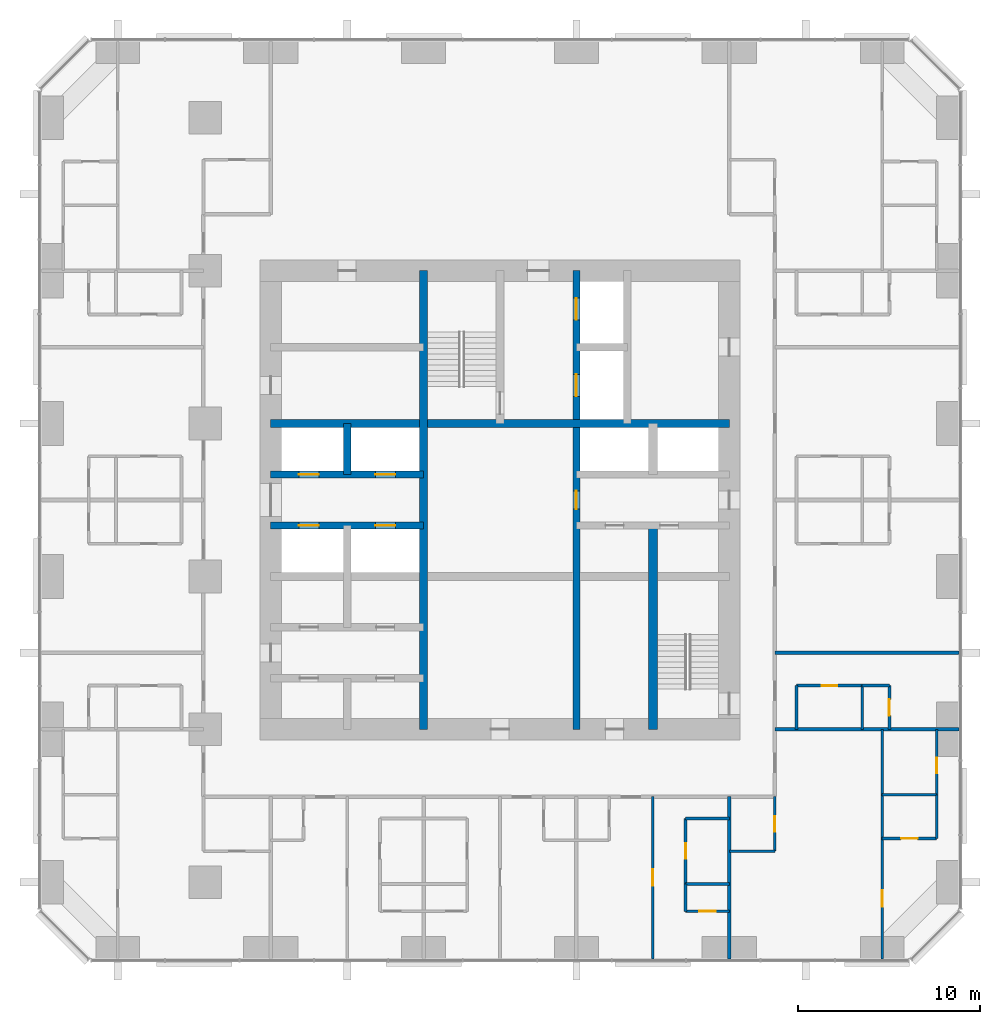
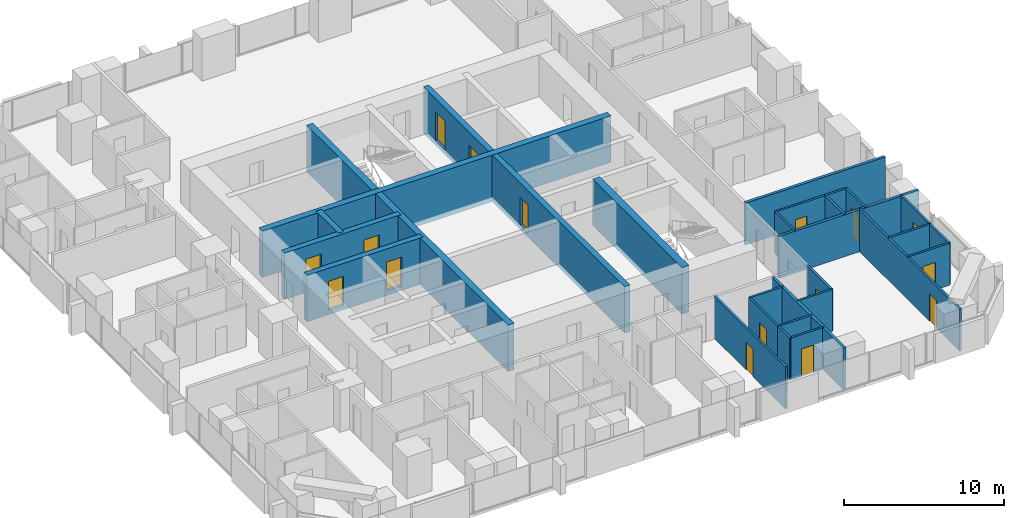
# One storey, part 10 of 13: 28 walls, 16 doors, 16 openings.
"""IFC4 building model written with IfcOpenShell, lengths in metres."""

import ifcopenshell
import ifcopenshell.guid

model = None  # the IFC model being written
_history = None  # IfcOwnerHistory: only IFC2X3 demands one
_inside = {}  # id of a spatial element -> (the spatial element, [elements in it])
_under = {}  # id of a project, library or spatial element -> (it, [spatial elements below it])
_declared = {}  # id of a project -> (the project, [libraries it declares])
_typed = {}  # id of a type object -> (the type object, [elements of that type])
_made_of = {}  # id of a material, layer set ... -> (it, [elements and type objects made of it])


def new_model(schema):
    """Start an empty IFC model of exactly this schema.

    Asked for "IFC4X3", IfcOpenShell would pick the latest addendum, in which some entities
    have other attributes; the version numbers below select the first issue.
    IFC2X3 requires an IfcOwnerHistory on every rooted entity: one is made here for all.
    """
    global model, _history
    if schema == "IFC4X3":
        model = ifcopenshell.file(schema_version=(4, 3, 0, 0))
    else:
        model = ifcopenshell.file(schema=schema)
    _inside.clear()
    _under.clear()
    _declared.clear()
    _typed.clear()
    _made_of.clear()
    _history = None
    if model.schema == "IFC2X3":
        org = make("IfcOrganization", Name="unknown")
        user = make(
            "IfcPersonAndOrganization",
            ThePerson=make("IfcPerson", FamilyName="unknown"),
            TheOrganization=org,
        )
        app = make(
            "IfcApplication",
            ApplicationDeveloper=org,
            Version="unknown",
            ApplicationFullName="unknown",
            ApplicationIdentifier="unknown",
        )
        _history = make(
            "IfcOwnerHistory",
            OwningUser=user,
            OwningApplication=app,
            ChangeAction="ADDED",
            CreationDate=0,
        )
    return model


def make(cls, **values):
    """One entity of the class cls with the attributes given. An attribute that is None is left unset."""
    return model.create_entity(
        cls, **{name: value for name, value in values.items() if value is not None}
    )


def rooted(cls, **values):
    """An entity with a GlobalId (a new one), such as an element, a storey or a relation."""
    return make(cls, GlobalId=ifcopenshell.guid.new(), OwnerHistory=_history, **values)


def si_unit(unit_type, name, prefix=None):
    """IfcSIUnit, for example si_unit("LENGTHUNIT", "METRE", prefix="MILLI")."""
    return make("IfcSIUnit", UnitType=unit_type, Prefix=prefix, Name=name)


def assignment(units):
    """IfcUnitAssignment: the units of a project."""
    return None if units is None else make("IfcUnitAssignment", Units=units)


def point(xyz):
    """IfcCartesianPoint."""
    return None if xyz is None else make("IfcCartesianPoint", Coordinates=xyz)


def direction(xyz):
    """IfcDirection."""
    return None if xyz is None else make("IfcDirection", DirectionRatios=xyz)


def frame(location, z_axis=None, x_axis=None):
    """IfcAxis2Placement3D, a coordinate frame: its origin and axes. An axis left out is left unset."""
    return make(
        "IfcAxis2Placement3D",
        Location=point(location),
        Axis=direction(z_axis),
        RefDirection=direction(x_axis),
    )


def frame_2d(location, x_axis=None):
    """IfcAxis2Placement2D, a coordinate frame in the plane: its origin and x axis."""
    return make(
        "IfcAxis2Placement2D", Location=point(location), RefDirection=direction(x_axis)
    )


def origin():
    """The frame at (0, 0, 0) with its axes left unset."""
    return frame((0.0, 0.0, 0.0))


def place(relative_to, where):
    """IfcLocalPlacement: puts the frame where relative to a parent placement (None: the world)."""
    return make(
        "IfcLocalPlacement", PlacementRelTo=relative_to, RelativePlacement=where
    )


def context(
    kind, dimensions, precision=None, world=None, true_north=None, identifier=None
):
    """IfcGeometricRepresentationContext, for example the 3D "Model" context."""
    return make(
        "IfcGeometricRepresentationContext",
        ContextIdentifier=identifier,
        ContextType=kind,
        CoordinateSpaceDimension=dimensions,
        Precision=precision,
        WorldCoordinateSystem=world,
        TrueNorth=true_north,
    )


def subcontext(parent, identifier, kind, view, scale=None):
    """IfcGeometricRepresentationSubContext, for example "Body" below "Model"."""
    return make(
        "IfcGeometricRepresentationSubContext",
        ContextIdentifier=identifier,
        ContextType=kind,
        ParentContext=parent,
        TargetScale=scale,
        TargetView=view,
    )


def project(units=None, contexts=None):
    """IfcProject with its units and contexts."""
    return rooted(
        "IfcProject",
        Name="project",
        RepresentationContexts=contexts,
        UnitsInContext=assignment(units),
    )


def spatial(cls, under=None, at=None, **own):
    """A site, building, storey or space (cls), placed at a placement, below another one or the project."""
    s = rooted(cls, ObjectPlacement=at, **own)
    if under is not None:
        _under.setdefault(under.id(), (under, []))[1].append(s)
    return s


def profile(cls, at=None, kind="AREA", **sizes):
    """A parametric profile (cls). Its sizes go by their IFC names, for example OverallWidth=200.0."""
    return make(cls, ProfileType=kind, Position=at, **sizes)


def rectangle(**sizes):
    """IfcRectangleProfileDef."""
    return profile("IfcRectangleProfileDef", **sizes)


def extrude(swept, where, along, depth):
    """IfcExtrudedAreaSolid: the profile swept, set in the frame where, extruded along a direction by depth."""
    return make(
        "IfcExtrudedAreaSolid",
        SweptArea=swept,
        Position=where,
        ExtrudedDirection=direction(along),
        Depth=depth,
    )


def shape(context_of_items, identifier, shape_type, items):
    """IfcShapeRepresentation: the items that make up one representation, for example the "Body"."""
    return make(
        "IfcShapeRepresentation",
        ContextOfItems=context_of_items,
        RepresentationIdentifier=identifier,
        RepresentationType=shape_type,
        Items=items,
    )


def material(Name=None, Category=None):
    """IfcMaterial."""
    return make("IfcMaterial", Name=Name, Category=Category)


def layer(
    of_material, thickness, ventilated=None, Name=None, Category=None, Priority=None
):
    """IfcMaterialLayer: one layer of a wall or slab, of a material (None: an air gap)."""
    return make(
        "IfcMaterialLayer",
        Material=of_material,
        LayerThickness=thickness,
        IsVentilated=ventilated,
        Name=Name,
        Category=Category,
        Priority=Priority,
    )


def layer_set(layers, Name=None):
    """IfcMaterialLayerSet."""
    return make("IfcMaterialLayerSet", MaterialLayers=layers, LayerSetName=Name)


def made_of(thing, what):
    """Note that an element or type object is made of a material, layer set ...; save() writes the relation."""
    if what is not None:
        _made_of.setdefault(what.id(), (what, []))[1].append(thing)
    return thing


def type_object(cls, material=None, **own):
    """A type object (cls), such as IfcWallType, which elements share."""
    return made_of(rooted(cls, **own), material)


def element(
    cls,
    number,
    at=None,
    inside=None,
    cuts=None,
    type_object=None,
    material=None,
    context=None,
    identifier="Body",
    shape_type=None,
    held_by="IfcProductDefinitionShape",
    body=None,
    shapes=None,
    **own,
):
    """One element of the class cls, such as IfcWall. Its Tag is "e" and its number.

    at: its placement. inside: the storey or other place that contains it. cuts: it is an
    opening in that element (IfcRelVoidsElement). A single representation is given by context,
    identifier, shape_type and body (its items); several are given by shapes. held_by: the class
    of the entity that holds the representations. save() writes the other relations.
    """
    e = rooted(cls, Tag="e%d" % number, ObjectPlacement=at, **own)
    if body is not None:
        shapes = [shape(context, identifier, shape_type, body)]
    if shapes is not None:
        e.Representation = make(held_by, Representations=shapes)
    if inside is not None:
        _inside.setdefault(inside.id(), (inside, []))[1].append(e)
    if cuts is not None:
        rooted(
            "IfcRelVoidsElement", RelatingBuildingElement=cuts, RelatedOpeningElement=e
        )
    if type_object is not None:
        _typed.setdefault(type_object.id(), (type_object, []))[1].append(e)
    return made_of(e, material)


def fill(opening, filler):
    """IfcRelFillsElement: the door or window that sits in an opening."""
    return rooted(
        "IfcRelFillsElement",
        RelatingOpeningElement=opening,
        RelatedBuildingElement=filler,
    )


def aggregate(whole, parts):
    """IfcRelAggregates: a whole, such as a stair, and the parts it consists of."""
    return rooted("IfcRelAggregates", RelatingObject=whole, RelatedObjects=parts)


def save(model, path):
    """Write the relations noted so far, then the file.

    IfcRelAggregates (storeys below a building ...), IfcRelContainedInSpatialStructure (elements
    in a storey), IfcRelDefinesByType, IfcRelAssociatesMaterial and IfcRelDeclares: one each for
    every whole, place, type object, material and project.
    """
    for whole, parts in _under.values():
        aggregate(whole, parts)
    for where, things in _inside.values():
        rooted(
            "IfcRelContainedInSpatialStructure",
            RelatedElements=things,
            RelatingStructure=where,
        )
    for kind, things in _typed.values():
        rooted("IfcRelDefinesByType", RelatedObjects=things, RelatingType=kind)
    for what, things in _made_of.values():
        rooted("IfcRelAssociatesMaterial", RelatedObjects=things, RelatingMaterial=what)
    for by, libraries in _declared.values():
        rooted("IfcRelDeclares", RelatingContext=by, RelatedDefinitions=libraries)
    model.write(path)


model = new_model("IFC4")

# Units and contexts
model_context = context("Model", 3, precision=1e-05, world=origin(), true_north=direction((0.0, 1.0)))
body_context = subcontext(model_context, "Body", "Model", "MODEL_VIEW")
ifc_project = project(units=[si_unit("LENGTHUNIT", "METRE"), si_unit("AREAUNIT", "SQUARE_METRE"), si_unit("VOLUMEUNIT", "CUBIC_METRE"), si_unit("PLANEANGLEUNIT", "RADIAN"), si_unit("MASSUNIT", "GRAM", prefix="KILO")], contexts=[model_context])

# Site, building, storey
site_placement = place(None, origin())
site = spatial("IfcSite", under=ifc_project, at=site_placement, CompositionType="ELEMENT")
building_placement = place(site_placement, origin())
building = spatial("IfcBuilding", under=site, at=building_placement, Name="Dunama Terrace Hotel", CompositionType="ELEMENT")
storey_placement = place(building_placement, frame((0.0, 0.0, 216.60009765625)))
storey = spatial("IfcBuildingStorey", under=building, at=storey_placement, Name="L56", CompositionType="ELEMENT", Elevation=216.60009765625)

# Wall, opening, door
ifc_material_1 = material(Name="Gypsum board partition", Category="masonry")
ifc_layer_1 = layer(ifc_material_1, 0.14990234375)
ifc_layer_set_1 = layer_set([ifc_layer_1], Name="Bathroom partition 150")
wall_type_1 = type_object("IfcWallType", Name="Bathroom partition 150", PredefinedType="PARTITIONING", material=ifc_layer_set_1)
wall_1_placement = place(storey_placement, frame((39.60009765625, 8.300048828125, 0.0), z_axis=(0.0, 0.0, 1.0), x_axis=(0.0, 1.0, 0.0)))
wall_1 = element("IfcWall", 1, at=wall_1_placement, inside=storey, type_object=wall_type_1, Name="Bathroom partition 150 L56", PredefinedType="PARTITIONING", context=body_context, shape_type="SweptSolid", body=[
    extrude(rectangle(XDim=3.599853515625, YDim=0.14990234375, at=frame_2d((1.7998046875, 0.0))), origin(), (0.0, 0.0, 1.0), 3.199951171875),
])
opening_1_placement = place(wall_1_placement, frame((1.375, 0.0, 0.0)))
opening_1 = element("IfcOpeningElement", 2, at=opening_1_placement, cuts=wall_1, Name="Opening L56-022", PredefinedType="OPENING", context=body_context, shape_type="SweptSolid", body=[
    extrude(rectangle(XDim=0.85009765625, YDim=2.10009765625, at=frame_2d((0.425048828125, 1.050048828125))), frame((0.0, 0.0849609375, 0.0), z_axis=(0.0, -1.0, 0.0), x_axis=(1.0, 0.0, 0.0)), (0.0, 0.0, 1.0), 0.169921875),
])
ifc_material_2 = material(Name="Timber door with steel frame", Category="steel")
door_type_1 = type_object("IfcDoorType", Name="Bathroom door 850", OperationType="SINGLE_SWING_LEFT", PredefinedType="DOOR", material=ifc_material_2)
door_1_placement = place(opening_1_placement, frame((0.85009765625, 0.0, 0.0), z_axis=(0.0, 0.0, 1.0), x_axis=(-1.0, 0.0, 0.0)))
door_1 = element("IfcDoor", 3, at=door_1_placement, inside=storey, type_object=door_type_1, Name="Door to en-suite bathroom L56-022, type D2", OperationType="SINGLE_SWING_RIGHT", OverallHeight=2.10009765625, OverallWidth=0.85009765625, PredefinedType="DOOR", context=body_context, shape_type="SweptSolid", body=[
    extrude(rectangle(XDim=0.85009765625, YDim=2.10009765625, at=frame_2d((0.425048828125, 1.050048828125))), frame((0.0, 0.025146484375, 0.0), z_axis=(0.0, -1.0, 0.0), x_axis=(1.0, 0.0, 0.0)), (0.0, 0.0, 1.0), 0.050048828125),
])
fill(opening_1, door_1)

wall_2_placement = place(storey_placement, frame((44.5, 10.10009765625, 0.0), z_axis=(0.0, 0.0, 1.0), x_axis=(0.0, 1.0, 0.0)))
wall_2 = element("IfcWall", 4, at=wall_2_placement, inside=storey, type_object=wall_type_1, Name="Bathroom partition 150 L56", PredefinedType="PARTITIONING", context=body_context, shape_type="SweptSolid", body=[
    extrude(rectangle(XDim=3.0, YDim=0.14990234375, at=frame_2d((1.5, 0.0))), origin(), (0.0, 0.0, 1.0), 3.199951171875),
])
opening_2_placement = place(wall_2_placement, frame((1.074951171875, 0.0, 0.0)))
opening_2 = element("IfcOpeningElement", 5, at=opening_2_placement, cuts=wall_2, Name="Opening L56-054", PredefinedType="OPENING", context=body_context, shape_type="SweptSolid", body=[
    extrude(rectangle(XDim=0.85009765625, YDim=2.10009765625, at=frame_2d((0.425048828125, 1.050048828125))), frame((0.0, 0.0849609375, 0.0), z_axis=(0.0, -1.0, 0.0), x_axis=(1.0, 0.0, 0.0)), (0.0, 0.0, 1.0), 0.169921875),
])
door_2_placement = place(opening_2_placement, origin())
door_2 = element("IfcDoor", 6, at=door_2_placement, inside=storey, type_object=door_type_1, Name="Door to powder room L56-054, type D2", OperationType="SINGLE_SWING_RIGHT", OverallHeight=2.10009765625, OverallWidth=0.85009765625, PredefinedType="DOOR", context=body_context, shape_type="SweptSolid", body=[
    extrude(rectangle(XDim=0.85009765625, YDim=2.10009765625, at=frame_2d((0.425048828125, 1.050048828125))), frame((0.0, 0.02490234375, 0.0), z_axis=(0.0, -1.0, 0.0), x_axis=(1.0, 0.0, 0.0)), (0.0, 0.0, 1.0), 0.050048828125),
])
fill(opening_2, door_2)

# Wall
wall_3_placement = place(storey_placement, frame((45.699951171875, 16.800048828125, 0.0), z_axis=(0.0, 0.0, 1.0), x_axis=(0.0, 1.0, 0.0)))
element("IfcWall", 7, at=wall_3_placement, inside=storey, type_object=wall_type_1, Name="Bathroom partition 150 L56", PredefinedType="PARTITIONING", context=body_context, shape_type="SweptSolid", body=[
    extrude(rectangle(XDim=2.39990234375, YDim=0.14990234375, at=frame_2d((1.199951171875, 0.0))), origin(), (0.0, 0.0, 1.0), 3.199951171875),
])

# Wall, opening, door
wall_4_placement = place(storey_placement, frame((53.39990234375, 13.199951171875, 0.0), z_axis=(0.0, 0.0, 1.0), x_axis=(0.0, 1.0, 0.0)))
wall_4 = element("IfcWall", 8, at=wall_4_placement, inside=storey, type_object=wall_type_1, Name="Bathroom partition 150 L56", PredefinedType="PARTITIONING", context=body_context, shape_type="SweptSolid", body=[
    extrude(rectangle(XDim=3.60009765625, YDim=0.14990234375, at=frame_2d((1.800048828125, 0.0))), origin(), (0.0, 0.0, 1.0), 3.199951171875),
])
opening_3_placement = place(wall_4_placement, frame((1.175048828125, 0.0, 0.0)))
opening_3 = element("IfcOpeningElement", 9, at=opening_3_placement, cuts=wall_4, Name="Opening L56-056", PredefinedType="OPENING", context=body_context, shape_type="SweptSolid", body=[
    extrude(rectangle(XDim=0.85009765625, YDim=2.10009765625, at=frame_2d((0.425048828125, 1.050048828125))), frame((0.0, 0.0849609375, 0.0), z_axis=(0.0, -1.0, 0.0), x_axis=(1.0, 0.0, 0.0)), (0.0, 0.0, 1.0), 0.169921875),
])
door_3_placement = place(opening_3_placement, origin())
door_3 = element("IfcDoor", 10, at=door_3_placement, inside=storey, type_object=door_type_1, Name="Door to en-suite bathroom L56-056, type D2", OperationType="SINGLE_SWING_RIGHT", OverallHeight=2.10009765625, OverallWidth=0.85009765625, PredefinedType="DOOR", context=body_context, shape_type="SweptSolid", body=[
    extrude(rectangle(XDim=0.85009765625, YDim=2.10009765625, at=frame_2d((0.425048828125, 1.050048828125))), frame((0.0, 0.02490234375, 0.0), z_axis=(0.0, -1.0, 0.0), x_axis=(1.0, 0.0, 0.0)), (0.0, 0.0, 1.0), 0.050048828125),
])
fill(opening_3, door_3)

# Walls
wall_5_placement = place(storey_placement, frame((42.0, 10.10009765625, 0.0), z_axis=(0.0, 0.0, 1.0), x_axis=(1.0, 0.0, 0.0)))
element("IfcWall", 11, at=wall_5_placement, inside=storey, type_object=wall_type_1, Name="Bathroom partition 150 L56", PredefinedType="PARTITIONING", context=body_context, shape_type="SweptSolid", body=[
    extrude(rectangle(XDim=2.5, YDim=0.14990234375, at=frame_2d((1.25, 0.0))), origin(), (0.0, 0.0, 1.0), 3.199951171875),
])
wall_6_placement = place(storey_placement, frame((39.60009765625, 11.89990234375, 0.0), z_axis=(0.0, 0.0, 1.0), x_axis=(1.0, 0.0, 0.0)))
element("IfcWall", 12, at=wall_6_placement, inside=storey, type_object=wall_type_1, Name="Bathroom partition 150 L56", PredefinedType="PARTITIONING", context=body_context, shape_type="SweptSolid", body=[
    extrude(rectangle(XDim=2.39990234375, YDim=0.14990234375, at=frame_2d((1.199951171875, 0.0))), origin(), (0.0, 0.0, 1.0), 3.199951171875),
])

# Wall, opening, door
wall_7_placement = place(storey_placement, frame((45.699951171875, 19.199951171875, 0.0), z_axis=(0.0, 0.0, 1.0), x_axis=(1.0, 0.0, 0.0)))
wall_7 = element("IfcWall", 13, at=wall_7_placement, inside=storey, type_object=wall_type_1, Name="Bathroom partition 150 L56", PredefinedType="PARTITIONING", context=body_context, shape_type="SweptSolid", body=[
    extrude(rectangle(XDim=3.60009765625, YDim=0.14990234375, at=frame_2d((1.800048828125, 0.0))), origin(), (0.0, 0.0, 1.0), 3.199951171875),
])
opening_4_placement = place(wall_7_placement, frame((1.375, 0.0, 0.0)))
opening_4 = element("IfcOpeningElement", 14, at=opening_4_placement, cuts=wall_7, Name="Opening L56-025", PredefinedType="OPENING", context=body_context, shape_type="SweptSolid", body=[
    extrude(rectangle(XDim=0.85009765625, YDim=2.10009765625, at=frame_2d((0.425048828125, 1.050048828125))), frame((0.0, 0.0849609375, 0.0), z_axis=(0.0, -1.0, 0.0), x_axis=(1.0, 0.0, 0.0)), (0.0, 0.0, 1.0), 0.169921875),
])
door_4_placement = place(opening_4_placement, frame((0.85009765625, 0.0, 0.0), z_axis=(0.0, 0.0, 1.0), x_axis=(-1.0, 0.0, 0.0)))
door_4 = element("IfcDoor", 15, at=door_4_placement, inside=storey, type_object=door_type_1, Name="Door to en-suite bathroom L56-025, type D2", OperationType="SINGLE_SWING_LEFT", OverallHeight=2.10009765625, OverallWidth=0.85009765625, PredefinedType="DOOR", context=body_context, shape_type="SweptSolid", body=[
    extrude(rectangle(XDim=0.85009765625, YDim=2.10009765625, at=frame_2d((0.425048828125, 1.050048828125))), frame((0.0, 0.025146484375, 0.0), z_axis=(0.0, -1.0, 0.0), x_axis=(1.0, 0.0, 0.0)), (0.0, 0.0, 1.0), 0.050048828125),
])
fill(opening_4, door_4)

# Wall
ifc_material_3 = material(Name="Concrete C50/60", Category="concrete")
ifc_layer_2 = layer(ifc_material_3, 0.39990234375)
ifc_layer_set_2 = layer_set([ifc_layer_2], Name="Core inner wall 400")
wall_type_2 = type_object("IfcWallType", Name="Core inner wall 400", PredefinedType="SHEAR", material=ifc_layer_set_2)
wall_8_placement = place(storey_placement, frame((21.0, 30.800048828125, -0.35009765625), z_axis=(0.0, 0.0, 1.0), x_axis=(0.0, 1.0, 0.0)))
element("IfcWall", 16, at=wall_8_placement, inside=storey, type_object=wall_type_2, Name="Core inner wall 400 L56", PredefinedType="SHEAR", context=body_context, shape_type="SweptSolid", body=[
    extrude(rectangle(XDim=2.800048828125, YDim=0.39990234375, at=frame_2d((1.39990234375, 0.0))), origin(), (0.0, 0.0, 1.0), 3.550048828125),
])

# Wall, openings, doors
wall_9_placement = place(storey_placement, frame((33.60009765625, 16.800048828125, -0.35009765625), z_axis=(0.0, 0.0, 1.0), x_axis=(0.0, 1.0, 0.0)))
wall_9 = element("IfcWall", 17, at=wall_9_placement, inside=storey, type_object=wall_type_2, Name="Core inner wall 400 L56", PredefinedType="SHEAR", context=body_context, shape_type="SweptSolid", body=[
    extrude(rectangle(XDim=25.199951171875, YDim=0.39990234375, at=frame_2d((12.60009765625, 0.0))), origin(), (0.0, 0.0, 1.0), 3.550048828125),
])
opening_5_placement = place(wall_9_placement, frame((22.5, 0.0, 0.35009765625)))
opening_5 = element("IfcOpeningElement", 18, at=opening_5_placement, cuts=wall_9, Name="Opening L56-007", PredefinedType="OPENING", context=body_context, shape_type="SweptSolid", body=[
    extrude(rectangle(XDim=1.199951171875, YDim=2.199951171875, at=frame_2d((0.60009765625, 1.10009765625))), frame((0.0, 0.2099609375, 0.0), z_axis=(0.0, -1.0, 0.0), x_axis=(1.0, 0.0, 0.0)), (0.0, 0.0, 1.0), 0.419921875),
])
opening_6_placement = place(wall_9_placement, frame((18.300048828125, 0.0, 0.35009765625)))
opening_6 = element("IfcOpeningElement", 19, at=opening_6_placement, cuts=wall_9, Name="Opening L56-008", PredefinedType="OPENING", context=body_context, shape_type="SweptSolid", body=[
    extrude(rectangle(XDim=1.199951171875, YDim=2.199951171875, at=frame_2d((0.60009765625, 1.10009765625))), frame((0.0, 0.2099609375, 0.0), z_axis=(0.0, -1.0, 0.0), x_axis=(1.0, 0.0, 0.0)), (0.0, 0.0, 1.0), 0.419921875),
])
opening_7_placement = place(wall_9_placement, frame((12.10009765625, 0.0, 0.35009765625)))
opening_7 = element("IfcOpeningElement", 20, at=opening_7_placement, cuts=wall_9, Name="Opening L56-076", PredefinedType="OPENING", context=body_context, shape_type="SweptSolid", body=[
    extrude(rectangle(XDim=1.0, YDim=2.10009765625, at=frame_2d((0.5, 1.050048828125))), frame((0.0, 0.2099609375, 0.0), z_axis=(0.0, -1.0, 0.0), x_axis=(1.0, 0.0, 0.0)), (0.0, 0.0, 1.0), 0.419921875),
])
ifc_material_4 = material(Name="Stainless steel lift door", Category="steel")
door_type_2 = type_object("IfcDoorType", Name="Firefighting lift landing door 1200", OperationType="DOUBLE_DOOR_SLIDING", PredefinedType="DOOR", material=ifc_material_4)
door_5_placement = place(opening_5_placement, origin())
door_5 = element("IfcDoor", 21, at=door_5_placement, inside=storey, type_object=door_type_2, Name="Landing door FL1 L56-007, type LD2", OperationType="DOUBLE_DOOR_SLIDING", OverallHeight=2.199951171875, OverallWidth=1.199951171875, PredefinedType="DOOR", context=body_context, shape_type="SweptSolid", body=[
    extrude(rectangle(XDim=1.199951171875, YDim=2.199951171875, at=frame_2d((0.60009765625, 1.10009765625))), frame((0.0, 0.02490234375, 0.0), z_axis=(0.0, -1.0, 0.0), x_axis=(1.0, 0.0, 0.0)), (0.0, 0.0, 1.0), 0.050048828125),
])
fill(opening_5, door_5)
door_6_placement = place(opening_6_placement, origin())
door_6 = element("IfcDoor", 22, at=door_6_placement, inside=storey, type_object=door_type_2, Name="Landing door FL2 L56-008, type LD2", OperationType="DOUBLE_DOOR_SLIDING", OverallHeight=2.199951171875, OverallWidth=1.199951171875, PredefinedType="DOOR", context=body_context, shape_type="SweptSolid", body=[
    extrude(rectangle(XDim=1.199951171875, YDim=2.199951171875, at=frame_2d((0.60009765625, 1.10009765625))), frame((0.0, 0.02490234375, 0.0), z_axis=(0.0, -1.0, 0.0), x_axis=(1.0, 0.0, 0.0)), (0.0, 0.0, 1.0), 0.050048828125),
])
fill(opening_6, door_6)
ifc_material_5 = material(Name="Timber door with steel frame", Category="steel")
door_type_3 = type_object("IfcDoorType", Name="Service door 1000", OperationType="SINGLE_SWING_LEFT", PredefinedType="DOOR", material=ifc_material_5)
door_7_placement = place(opening_7_placement, origin())
door_7 = element("IfcDoor", 23, at=door_7_placement, inside=storey, type_object=door_type_3, Name="Door to room service pantry L56-076, type D7", OperationType="SINGLE_SWING_LEFT", OverallHeight=2.10009765625, OverallWidth=1.0, PredefinedType="DOOR", context=body_context, shape_type="SweptSolid", body=[
    extrude(rectangle(XDim=1.0, YDim=2.10009765625, at=frame_2d((0.5, 1.050048828125))), frame((0.0, 0.02490234375, 0.0), z_axis=(0.0, -1.0, 0.0), x_axis=(1.0, 0.0, 0.0)), (0.0, 0.0, 1.0), 0.050048828125),
])
fill(opening_7, door_7)

wall_10_placement = place(storey_placement, frame((16.800048828125, 28.0, -0.35009765625), z_axis=(0.0, 0.0, 1.0), x_axis=(1.0, 0.0, 0.0)))
wall_10 = element("IfcWall", 24, at=wall_10_placement, inside=storey, type_object=wall_type_2, Name="Core inner wall 400 L56", PredefinedType="SHEAR", context=body_context, shape_type="SweptSolid", body=[
    extrude(rectangle(XDim=8.39990234375, YDim=0.39990234375, at=frame_2d((4.199951171875, 0.0))), origin(), (0.0, 0.0, 1.0), 3.550048828125),
])
opening_8_placement = place(wall_10_placement, frame((1.550048828125, 0.0, 0.35009765625)))
opening_8 = element("IfcOpeningElement", 25, at=opening_8_placement, cuts=wall_10, Name="Opening L56-003", PredefinedType="OPENING", context=body_context, shape_type="SweptSolid", body=[
    extrude(rectangle(XDim=1.10009765625, YDim=2.199951171875, at=frame_2d((0.550048828125, 1.10009765625))), frame((0.0, 0.2099609375, 0.0), z_axis=(0.0, -1.0, 0.0), x_axis=(1.0, 0.0, 0.0)), (0.0, 0.0, 1.0), 0.419921875),
])
opening_9_placement = place(wall_10_placement, frame((5.75, 0.0, 0.35009765625)))
opening_9 = element("IfcOpeningElement", 26, at=opening_9_placement, cuts=wall_10, Name="Opening L56-004", PredefinedType="OPENING", context=body_context, shape_type="SweptSolid", body=[
    extrude(rectangle(XDim=1.10009765625, YDim=2.199951171875, at=frame_2d((0.550048828125, 1.10009765625))), frame((0.0, 0.2099609375, 0.0), z_axis=(0.0, -1.0, 0.0), x_axis=(1.0, 0.0, 0.0)), (0.0, 0.0, 1.0), 0.419921875),
])
ifc_material_6 = material(Name="Stainless steel lift door", Category="steel")
door_type_4 = type_object("IfcDoorType", Name="Lift landing door 1100", OperationType="DOUBLE_DOOR_SLIDING", PredefinedType="DOOR", material=ifc_material_6)
door_8_placement = place(opening_8_placement, origin())
door_8 = element("IfcDoor", 27, at=door_8_placement, inside=storey, type_object=door_type_4, Name="Landing door PC1 L56-003, type LD1", OperationType="DOUBLE_DOOR_SLIDING", OverallHeight=2.199951171875, OverallWidth=1.10009765625, PredefinedType="DOOR", context=body_context, shape_type="SweptSolid", body=[
    extrude(rectangle(XDim=1.10009765625, YDim=2.199951171875, at=frame_2d((0.550048828125, 1.10009765625))), frame((0.0, 0.02490234375, 0.0), z_axis=(0.0, -1.0, 0.0), x_axis=(1.0, 0.0, 0.0)), (0.0, 0.0, 1.0), 0.050048828125),
])
fill(opening_8, door_8)
door_9_placement = place(opening_9_placement, origin())
door_9 = element("IfcDoor", 28, at=door_9_placement, inside=storey, type_object=door_type_4, Name="Landing door PC2 L56-004, type LD1", OperationType="DOUBLE_DOOR_SLIDING", OverallHeight=2.199951171875, OverallWidth=1.10009765625, PredefinedType="DOOR", context=body_context, shape_type="SweptSolid", body=[
    extrude(rectangle(XDim=1.10009765625, YDim=2.199951171875, at=frame_2d((0.550048828125, 1.10009765625))), frame((0.0, 0.02490234375, 0.0), z_axis=(0.0, -1.0, 0.0), x_axis=(1.0, 0.0, 0.0)), (0.0, 0.0, 1.0), 0.050048828125),
])
fill(opening_9, door_9)

wall_11_placement = place(storey_placement, frame((16.800048828125, 30.800048828125, -0.35009765625), z_axis=(0.0, 0.0, 1.0), x_axis=(1.0, 0.0, 0.0)))
wall_11 = element("IfcWall", 29, at=wall_11_placement, inside=storey, type_object=wall_type_2, Name="Core inner wall 400 L56", PredefinedType="SHEAR", context=body_context, shape_type="SweptSolid", body=[
    extrude(rectangle(XDim=8.39990234375, YDim=0.39990234375, at=frame_2d((4.199951171875, 0.0))), origin(), (0.0, 0.0, 1.0), 3.550048828125),
])
opening_10_placement = place(wall_11_placement, frame((1.550048828125, 0.0, 0.35009765625)))
opening_10 = element("IfcOpeningElement", 30, at=opening_10_placement, cuts=wall_11, Name="Opening L56-005", PredefinedType="OPENING", context=body_context, shape_type="SweptSolid", body=[
    extrude(rectangle(XDim=1.10009765625, YDim=2.199951171875, at=frame_2d((0.550048828125, 1.10009765625))), frame((0.0, 0.2099609375, 0.0), z_axis=(0.0, -1.0, 0.0), x_axis=(1.0, 0.0, 0.0)), (0.0, 0.0, 1.0), 0.419921875),
])
opening_11_placement = place(wall_11_placement, frame((5.75, 0.0, 0.35009765625)))
opening_11 = element("IfcOpeningElement", 31, at=opening_11_placement, cuts=wall_11, Name="Opening L56-006", PredefinedType="OPENING", context=body_context, shape_type="SweptSolid", body=[
    extrude(rectangle(XDim=1.10009765625, YDim=2.199951171875, at=frame_2d((0.550048828125, 1.10009765625))), frame((0.0, 0.2099609375, 0.0), z_axis=(0.0, -1.0, 0.0), x_axis=(1.0, 0.0, 0.0)), (0.0, 0.0, 1.0), 0.419921875),
])
door_10_placement = place(opening_10_placement, origin())
door_10 = element("IfcDoor", 32, at=door_10_placement, inside=storey, type_object=door_type_4, Name="Landing door PC3 L56-005, type LD1", OperationType="DOUBLE_DOOR_SLIDING", OverallHeight=2.199951171875, OverallWidth=1.10009765625, PredefinedType="DOOR", context=body_context, shape_type="SweptSolid", body=[
    extrude(rectangle(XDim=1.10009765625, YDim=2.199951171875, at=frame_2d((0.550048828125, 1.10009765625))), frame((0.0, 0.02490234375, 0.0), z_axis=(0.0, -1.0, 0.0), x_axis=(1.0, 0.0, 0.0)), (0.0, 0.0, 1.0), 0.050048828125),
])
fill(opening_10, door_10)
door_11_placement = place(opening_11_placement, origin())
door_11 = element("IfcDoor", 33, at=door_11_placement, inside=storey, type_object=door_type_4, Name="Landing door PC4 L56-006, type LD1", OperationType="DOUBLE_DOOR_SLIDING", OverallHeight=2.199951171875, OverallWidth=1.10009765625, PredefinedType="DOOR", context=body_context, shape_type="SweptSolid", body=[
    extrude(rectangle(XDim=1.10009765625, YDim=2.199951171875, at=frame_2d((0.550048828125, 1.10009765625))), frame((0.0, 0.02490234375, 0.0), z_axis=(0.0, -1.0, 0.0), x_axis=(1.0, 0.0, 0.0)), (0.0, 0.0, 1.0), 0.050048828125),
])
fill(opening_11, door_11)

# Walls
ifc_material_7 = material(Name="Concrete C50/60", Category="concrete")
ifc_layer_3 = layer(ifc_material_7, 0.449951171875)
ifc_layer_set_3 = layer_set([ifc_layer_3], Name="Core inner wall 450")
wall_type_3 = type_object("IfcWallType", Name="Core inner wall 450", PredefinedType="SHEAR", material=ifc_layer_set_3)
for number, where, z_axis, x_axis, name in (
    (34, (25.199951171875, 16.800048828125, -0.35009765625), (0.0, 0.0, 1.0), (0.0, 1.0, 0.0), "Core inner wall 450 L56"),
    (35, (16.800048828125, 33.60009765625, -0.35009765625), (0.0, 0.0, 1.0), (1.0, 0.0, 0.0), "Core inner wall 450 L56"),
):
    element("IfcWall", number, at=place(storey_placement, frame(where, z_axis=z_axis, x_axis=x_axis)), inside=storey, type_object=wall_type_3, Name=name, PredefinedType="SHEAR", context=body_context, shape_type="SweptSolid", body=[
        extrude(rectangle(XDim=25.199951171875, YDim=0.449951171875, at=frame_2d((12.60009765625, 0.0))), origin(), (0.0, 0.0, 1.0), 3.550048828125),
    ])
ifc_material_8 = material(Name="Concrete C50/60", Category="concrete")
ifc_layer_4 = layer(ifc_material_8, 0.5)
ifc_layer_set_4 = layer_set([ifc_layer_4], Name="Core inner wall 500")
wall_type_4 = type_object("IfcWallType", Name="Core inner wall 500", PredefinedType="SHEAR", material=ifc_layer_set_4)
wall_12_placement = place(storey_placement, frame((37.800048828125, 16.800048828125, -0.35009765625), z_axis=(0.0, 0.0, 1.0), x_axis=(0.0, 1.0, 0.0)))
element("IfcWall", 36, at=wall_12_placement, inside=storey, type_object=wall_type_4, Name="Core inner wall 500 L56", PredefinedType="SHEAR", context=body_context, shape_type="SweptSolid", body=[
    extrude(rectangle(XDim=11.199951171875, YDim=0.5, at=frame_2d((5.60009765625, 0.0))), origin(), (0.0, 0.0, 1.0), 3.550048828125),
])
ifc_material_9 = material(Name="Concrete blockwork", Category="masonry")
ifc_layer_5 = layer(ifc_material_9, 0.199951171875)
ifc_layer_set_5 = layer_set([ifc_layer_5], Name="Party wall 200")
wall_type_5 = type_object("IfcWallType", Name="Party wall 200", PredefinedType="PARTITIONING", material=ifc_layer_set_5)
wall_13_placement = place(storey_placement, frame((42.0, 4.181884765625, 0.0), z_axis=(0.0, 0.0, 1.0), x_axis=(0.0, 1.0, 0.0)))
element("IfcWall", 37, at=wall_13_placement, inside=storey, type_object=wall_type_5, Name="Party wall 200 L56", PredefinedType="PARTITIONING", context=body_context, shape_type="SweptSolid", body=[
    extrude(rectangle(XDim=8.918212890625, YDim=0.199951171875, at=frame_2d((4.458984375, 0.0))), origin(), (0.0, 0.0, 1.0), 3.199951171875),
])
for number, where, z_axis, x_axis, name in (
    (38, (44.5, 16.800048828125, 0.0), (0.0, 0.0, 1.0), (1.0, 0.0, 0.0), "Party wall 200 L56"),
    (39, (44.5, 21.0, 0.0), (0.0, 0.0, 1.0), (1.0, 0.0, 0.0), "Party wall 200 L56"),
):
    element("IfcWall", number, at=place(storey_placement, frame(where, z_axis=z_axis, x_axis=x_axis)), inside=storey, type_object=wall_type_5, Name=name, PredefinedType="PARTITIONING", context=body_context, shape_type="SweptSolid", body=[
        extrude(rectangle(XDim=10.117919921875, YDim=0.199951171875, at=frame_2d((5.05908203125, 0.0))), origin(), (0.0, 0.0, 1.0), 3.199951171875),
    ])

# Wall, opening, door
ifc_material_10 = material(Name="Gypsum board partition", Category="masonry")
ifc_layer_6 = layer(ifc_material_10, 0.14990234375)
ifc_layer_set_6 = layer_set([ifc_layer_6], Name="Room partition 150")
wall_type_6 = type_object("IfcWallType", Name="Room partition 150", PredefinedType="PARTITIONING", material=ifc_layer_set_6)
wall_14_placement = place(storey_placement, frame((37.800048828125, 4.181884765625, 0.0), z_axis=(0.0, 0.0, 1.0), x_axis=(0.0, 1.0, 0.0)))
wall_14 = element("IfcWall", 40, at=wall_14_placement, inside=storey, type_object=wall_type_6, Name="Room partition 150 L56", PredefinedType="PARTITIONING", context=body_context, shape_type="SweptSolid", body=[
    extrude(rectangle(XDim=8.918212890625, YDim=0.14990234375, at=frame_2d((4.458984375, 0.0))), origin(), (0.0, 0.0, 1.0), 3.199951171875),
])
opening_12_placement = place(wall_14_placement, frame((4.01806640625, 0.0, 0.0)))
opening_12 = element("IfcOpeningElement", 41, at=opening_12_placement, cuts=wall_14, Name="Opening L56-021", PredefinedType="OPENING", context=body_context, shape_type="SweptSolid", body=[
    extrude(rectangle(XDim=0.89990234375, YDim=2.10009765625, at=frame_2d((0.449951171875, 1.050048828125))), frame((0.0, 0.0849609375, 0.0), z_axis=(0.0, -1.0, 0.0), x_axis=(1.0, 0.0, 0.0)), (0.0, 0.0, 1.0), 0.169921875),
])
ifc_material_11 = material(Name="Timber door with steel frame", Category="steel")
door_type_5 = type_object("IfcDoorType", Name="Suite internal door 900", OperationType="SINGLE_SWING_LEFT", PredefinedType="DOOR", material=ifc_material_11)
door_12_placement = place(opening_12_placement, frame((0.89990234375, 0.0, 0.0), z_axis=(0.0, 0.0, 1.0), x_axis=(-1.0, 0.0, 0.0)))
door_12 = element("IfcDoor", 42, at=door_12_placement, inside=storey, type_object=door_type_5, Name="Door to executive club suite bedroom L56-021, type D16", OperationType="SINGLE_SWING_RIGHT", OverallHeight=2.10009765625, OverallWidth=0.89990234375, PredefinedType="DOOR", context=body_context, shape_type="SweptSolid", body=[
    extrude(rectangle(XDim=0.89990234375, YDim=2.10009765625, at=frame_2d((0.449951171875, 1.050048828125))), frame((0.0, 0.025146484375, 0.0), z_axis=(0.0, -1.0, 0.0), x_axis=(1.0, 0.0, 0.0)), (0.0, 0.0, 1.0), 0.050048828125),
])
fill(opening_12, door_12)

# Walls
wall_15_placement = place(storey_placement, frame((39.60009765625, 6.800048828125, 0.0), z_axis=(0.0, 0.0, 1.0), x_axis=(0.0, 1.0, 0.0)))
element("IfcWall", 43, at=wall_15_placement, inside=storey, type_object=wall_type_6, Name="Room partition 150 L56", PredefinedType="PARTITIONING", context=body_context, shape_type="SweptSolid", body=[
    extrude(rectangle(XDim=1.5, YDim=0.14990234375, at=frame_2d((0.75, 0.0))), origin(), (0.0, 0.0, 1.0), 3.199951171875),
])
wall_16_placement = place(storey_placement, frame((49.300048828125, 16.800048828125, 0.0), z_axis=(0.0, 0.0, 1.0), x_axis=(0.0, 1.0, 0.0)))
element("IfcWall", 44, at=wall_16_placement, inside=storey, type_object=wall_type_6, Name="Room partition 150 L56", PredefinedType="PARTITIONING", context=body_context, shape_type="SweptSolid", body=[
    extrude(rectangle(XDim=2.39990234375, YDim=0.14990234375, at=frame_2d((1.199951171875, 0.0))), origin(), (0.0, 0.0, 1.0), 3.199951171875),
])

# Wall, opening, door
wall_17_placement = place(storey_placement, frame((50.39990234375, 4.181884765625, 0.0), z_axis=(0.0, 0.0, 1.0), x_axis=(0.0, 1.0, 0.0)))
wall_17 = element("IfcWall", 45, at=wall_17_placement, inside=storey, type_object=wall_type_6, Name="Room partition 150 L56", PredefinedType="PARTITIONING", context=body_context, shape_type="SweptSolid", body=[
    extrude(rectangle(XDim=12.6181640625, YDim=0.14990234375, at=frame_2d((6.30908203125, 0.0))), origin(), (0.0, 0.0, 1.0), 3.199951171875),
])
opening_13_placement = place(wall_17_placement, frame((2.867919921875, 0.0, 0.0)))
opening_13 = element("IfcOpeningElement", 46, at=opening_13_placement, cuts=wall_17, Name="Opening L56-055", PredefinedType="OPENING", context=body_context, shape_type="SweptSolid", body=[
    extrude(rectangle(XDim=0.89990234375, YDim=2.10009765625, at=frame_2d((0.449951171875, 1.050048828125))), frame((0.0, 0.0849609375, 0.0), z_axis=(0.0, -1.0, 0.0), x_axis=(1.0, 0.0, 0.0)), (0.0, 0.0, 1.0), 0.169921875),
])
door_13_placement = place(opening_13_placement, frame((0.89990234375, 0.0, 0.0), z_axis=(0.0, 0.0, 1.0), x_axis=(-1.0, 0.0, 0.0)))
door_13 = element("IfcDoor", 47, at=door_13_placement, inside=storey, type_object=door_type_5, Name="Door to corner suite bedroom L56-055, type D16", OperationType="SINGLE_SWING_RIGHT", OverallHeight=2.10009765625, OverallWidth=0.89990234375, PredefinedType="DOOR", context=body_context, shape_type="SweptSolid", body=[
    extrude(rectangle(XDim=0.89990234375, YDim=2.10009765625, at=frame_2d((0.449951171875, 1.050048828125))), frame((0.0, 0.025146484375, 0.0), z_axis=(0.0, -1.0, 0.0), x_axis=(1.0, 0.0, 0.0)), (0.0, 0.0, 1.0), 0.050048828125),
])
fill(opening_13, door_13)

wall_18_placement = place(storey_placement, frame((50.800048828125, 16.800048828125, 0.0), z_axis=(0.0, 0.0, 1.0), x_axis=(0.0, 1.0, 0.0)))
wall_18 = element("IfcWall", 48, at=wall_18_placement, inside=storey, type_object=wall_type_6, Name="Room partition 150 L56", PredefinedType="PARTITIONING", context=body_context, shape_type="SweptSolid", body=[
    extrude(rectangle(XDim=2.39990234375, YDim=0.14990234375, at=frame_2d((1.199951171875, 0.0))), origin(), (0.0, 0.0, 1.0), 3.199951171875),
])
opening_14_placement = place(wall_18_placement, frame((0.75, 0.0, 0.0)))
opening_14 = element("IfcOpeningElement", 49, at=opening_14_placement, cuts=wall_18, Name="Opening L56-026", PredefinedType="OPENING", context=body_context, shape_type="SweptSolid", body=[
    extrude(rectangle(XDim=0.89990234375, YDim=2.10009765625, at=frame_2d((0.449951171875, 1.050048828125))), frame((0.0, 0.0849609375, 0.0), z_axis=(0.0, -1.0, 0.0), x_axis=(1.0, 0.0, 0.0)), (0.0, 0.0, 1.0), 0.169921875),
])
door_14_placement = place(opening_14_placement, origin())
door_14 = element("IfcDoor", 50, at=door_14_placement, inside=storey, type_object=door_type_5, Name="Door to walk-in wardrobe L56-026, type D16", OperationType="SINGLE_SWING_LEFT", OverallHeight=2.10009765625, OverallWidth=0.89990234375, PredefinedType="DOOR", context=body_context, shape_type="SweptSolid", body=[
    extrude(rectangle(XDim=0.89990234375, YDim=2.10009765625, at=frame_2d((0.449951171875, 1.050048828125))), frame((0.0, 0.02490234375, 0.0), z_axis=(0.0, -1.0, 0.0), x_axis=(1.0, 0.0, 0.0)), (0.0, 0.0, 1.0), 0.050048828125),
])
fill(opening_14, door_14)

# Wall
wall_19_placement = place(storey_placement, frame((53.39990234375, 10.800048828125, 0.0), z_axis=(0.0, 0.0, 1.0), x_axis=(0.0, 1.0, 0.0)))
element("IfcWall", 51, at=wall_19_placement, inside=storey, type_object=wall_type_6, Name="Room partition 150 L56", PredefinedType="PARTITIONING", context=body_context, shape_type="SweptSolid", body=[
    extrude(rectangle(XDim=2.39990234375, YDim=0.14990234375, at=frame_2d((1.199951171875, 0.0))), origin(), (0.0, 0.0, 1.0), 3.199951171875),
])

# Wall, opening, door
wall_20_placement = place(storey_placement, frame((39.60009765625, 6.800048828125, 0.0), z_axis=(0.0, 0.0, 1.0), x_axis=(1.0, 0.0, 0.0)))
wall_20 = element("IfcWall", 52, at=wall_20_placement, inside=storey, type_object=wall_type_6, Name="Room partition 150 L56", PredefinedType="PARTITIONING", context=body_context, shape_type="SweptSolid", body=[
    extrude(rectangle(XDim=2.39990234375, YDim=0.14990234375, at=frame_2d((1.199951171875, 0.0))), origin(), (0.0, 0.0, 1.0), 3.199951171875),
])
opening_15_placement = place(wall_20_placement, frame((0.75, 0.0, 0.0)))
opening_15 = element("IfcOpeningElement", 53, at=opening_15_placement, cuts=wall_20, Name="Opening L56-023", PredefinedType="OPENING", context=body_context, shape_type="SweptSolid", body=[
    extrude(rectangle(XDim=0.89990234375, YDim=2.10009765625, at=frame_2d((0.449951171875, 1.050048828125))), frame((0.0, 0.0849609375, 0.0), z_axis=(0.0, -1.0, 0.0), x_axis=(1.0, 0.0, 0.0)), (0.0, 0.0, 1.0), 0.169921875),
])
door_15_placement = place(opening_15_placement, origin())
door_15 = element("IfcDoor", 54, at=door_15_placement, inside=storey, type_object=door_type_5, Name="Door to walk-in wardrobe L56-023, type D16", OperationType="SINGLE_SWING_RIGHT", OverallHeight=2.10009765625, OverallWidth=0.89990234375, PredefinedType="DOOR", context=body_context, shape_type="SweptSolid", body=[
    extrude(rectangle(XDim=0.89990234375, YDim=2.10009765625, at=frame_2d((0.449951171875, 1.050048828125))), frame((0.0, 0.02490234375, 0.0), z_axis=(0.0, -1.0, 0.0), x_axis=(1.0, 0.0, 0.0)), (0.0, 0.0, 1.0), 0.050048828125),
])
fill(opening_15, door_15)

# Wall
wall_21_placement = place(storey_placement, frame((39.60009765625, 8.300048828125, 0.0), z_axis=(0.0, 0.0, 1.0), x_axis=(1.0, 0.0, 0.0)))
element("IfcWall", 55, at=wall_21_placement, inside=storey, type_object=wall_type_6, Name="Room partition 150 L56", PredefinedType="PARTITIONING", context=body_context, shape_type="SweptSolid", body=[
    extrude(rectangle(XDim=2.39990234375, YDim=0.14990234375, at=frame_2d((1.199951171875, 0.0))), origin(), (0.0, 0.0, 1.0), 3.199951171875),
])

# Wall, opening, door
wall_22_placement = place(storey_placement, frame((50.39990234375, 10.800048828125, 0.0), z_axis=(0.0, 0.0, 1.0), x_axis=(1.0, 0.0, 0.0)))
wall_22 = element("IfcWall", 56, at=wall_22_placement, inside=storey, type_object=wall_type_6, Name="Room partition 150 L56", PredefinedType="PARTITIONING", context=body_context, shape_type="SweptSolid", body=[
    extrude(rectangle(XDim=3.0, YDim=0.14990234375, at=frame_2d((1.5, 0.0))), origin(), (0.0, 0.0, 1.0), 3.199951171875),
])
opening_16_placement = place(wall_22_placement, frame((1.050048828125, 0.0, 0.0)))
opening_16 = element("IfcOpeningElement", 57, at=opening_16_placement, cuts=wall_22, Name="Opening L56-057", PredefinedType="OPENING", context=body_context, shape_type="SweptSolid", body=[
    extrude(rectangle(XDim=0.89990234375, YDim=2.10009765625, at=frame_2d((0.449951171875, 1.050048828125))), frame((0.0, 0.0849609375, 0.0), z_axis=(0.0, -1.0, 0.0), x_axis=(1.0, 0.0, 0.0)), (0.0, 0.0, 1.0), 0.169921875),
])
door_16_placement = place(opening_16_placement, origin())
door_16 = element("IfcDoor", 58, at=door_16_placement, inside=storey, type_object=door_type_5, Name="Door to dressing room L56-057, type D16", OperationType="SINGLE_SWING_LEFT", OverallHeight=2.10009765625, OverallWidth=0.89990234375, PredefinedType="DOOR", context=body_context, shape_type="SweptSolid", body=[
    extrude(rectangle(XDim=0.89990234375, YDim=2.10009765625, at=frame_2d((0.449951171875, 1.050048828125))), frame((0.0, 0.02490234375, 0.0), z_axis=(0.0, -1.0, 0.0), x_axis=(1.0, 0.0, 0.0)), (0.0, 0.0, 1.0), 0.050048828125),
])
fill(opening_16, door_16)

# Walls
wall_23_placement = place(storey_placement, frame((50.39990234375, 13.199951171875, 0.0), z_axis=(0.0, 0.0, 1.0), x_axis=(1.0, 0.0, 0.0)))
element("IfcWall", 59, at=wall_23_placement, inside=storey, type_object=wall_type_6, Name="Room partition 150 L56", PredefinedType="PARTITIONING", context=body_context, shape_type="SweptSolid", body=[
    extrude(rectangle(XDim=3.0, YDim=0.14990234375, at=frame_2d((1.5, 0.0))), origin(), (0.0, 0.0, 1.0), 3.199951171875),
])
wall_24_placement = place(storey_placement, frame((49.300048828125, 19.199951171875, 0.0), z_axis=(0.0, 0.0, 1.0), x_axis=(1.0, 0.0, 0.0)))
element("IfcWall", 60, at=wall_24_placement, inside=storey, type_object=wall_type_6, Name="Room partition 150 L56", PredefinedType="PARTITIONING", context=body_context, shape_type="SweptSolid", body=[
    extrude(rectangle(XDim=1.5, YDim=0.14990234375, at=frame_2d((0.75, 0.0))), origin(), (0.0, 0.0, 1.0), 3.199951171875),
])

save(model, "model.ifc")
